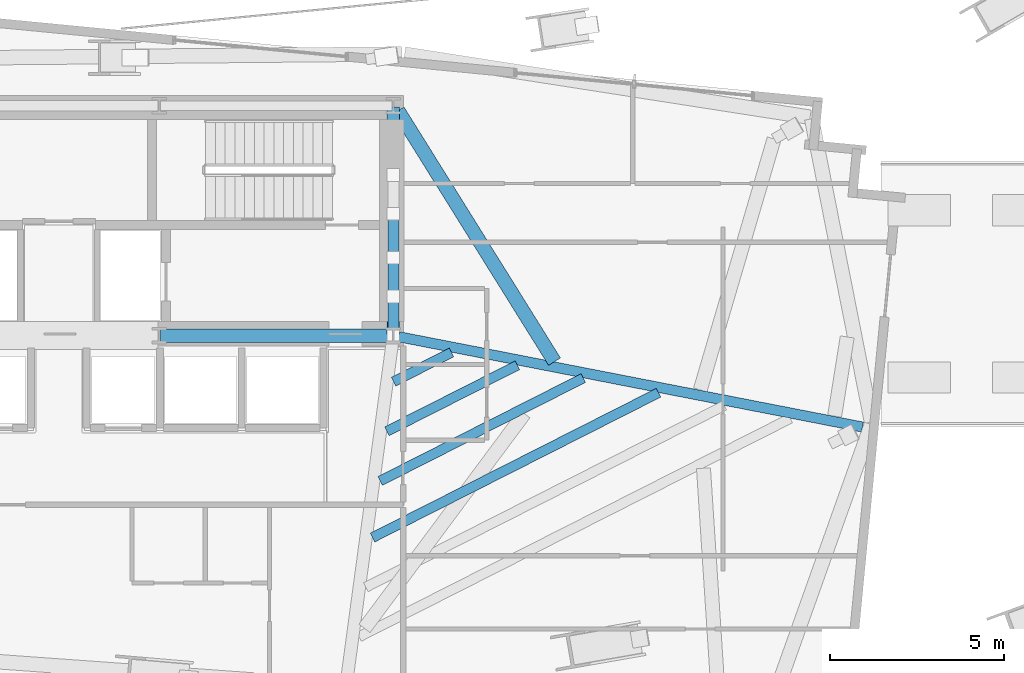
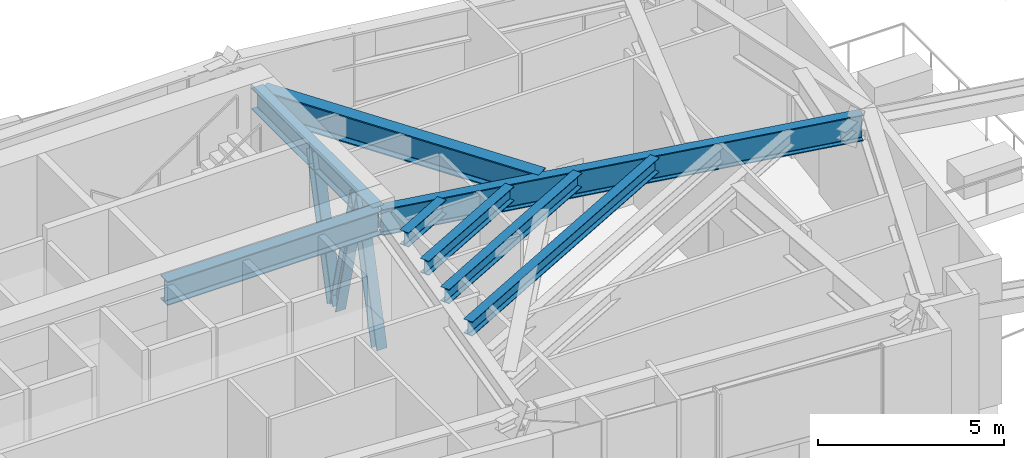
# One storey, part 11 of 23: 8 beams, 3 members.
"""IFC4 building model written with IfcOpenShell, lengths in metres."""

from ifc_helpers import new_model, si_unit, direction, frame, origin, origin_2d, place, context, subcontext, project, spatial, i_section, extrude, source, transform, mapped, material, material_profile, profile_set, type_object, type_shapes, element, save


model = new_model("IFC4")

# Units and contexts
model_context = context("Model", 3, precision=1e-05, world=origin(), true_north=direction((0.0, 1.0)))
body_context = subcontext(model_context, "Body", "Model", "MODEL_VIEW")
ifc_project = project(units=[si_unit("LENGTHUNIT", "METRE"), si_unit("AREAUNIT", "SQUARE_METRE"), si_unit("VOLUMEUNIT", "CUBIC_METRE"), si_unit("PLANEANGLEUNIT", "RADIAN"), si_unit("MASSUNIT", "GRAM", prefix="KILO")], contexts=[model_context])

# Site, building, storey
site_placement = place(None, origin())
site = spatial("IfcSite", under=ifc_project, at=site_placement, CompositionType="ELEMENT")
building_placement = place(site_placement, origin())
building = spatial("IfcBuilding", under=site, at=building_placement, Name="Astriad Promenade Condominiums", CompositionType="ELEMENT")
storey_placement = place(building_placement, frame((0.0, 0.0, 119.39990234375)))
storey = spatial("IfcBuildingStorey", under=building, at=storey_placement, Name="L34", CompositionType="ELEMENT", Elevation=119.39990234375)

# Beams
ifc_material = material(Name="Steel ASTM A992 Grade 50", Category="steel")
ifc_material_profile_1 = material_profile(ifc_material, i_section(OverallWidth=0.3837890625, OverallDepth=0.785888671875, WebThickness=0.019775390625, FlangeThickness=0.033447265625, FilletRadius=0.021484375, at=origin_2d()), Name="W30X211")
ifc_profile_set_1 = profile_set([ifc_material_profile_1], Name="Steel ASTM A992 Grade 50")
beam_type_1 = type_object("IfcBeamType", Name="STEEL FLOOR GIRDER W30X211", PredefinedType="BEAM", material=ifc_profile_set_1)
shared_shape_1 = source(origin(), body_context, "Body", "SweptSolid", [
    extrude(i_section(OverallWidth=0.3837890625, OverallDepth=0.785888671875, WebThickness=0.019775390625, FlangeThickness=0.033447265625, FilletRadius=0.021484375, at=origin_2d()), origin(), (0.0, 0.0, 1.0), 6.64013671875),
])
type_shapes(beam_type_1, [shared_shape_1])
beam_1_placement = place(storey_placement, frame((38.919921875, 17.39990234375, 4.38720703125), z_axis=(1.0, 0.0, 0.0), x_axis=(0.0, 1.0, 0.0)))
element("IfcBeam", 1, at=beam_1_placement, inside=storey, type_object=beam_type_1, Name="Core Ring Beam CG-S3-L34", PredefinedType="BEAM", context=body_context, shape_type="MappedRepresentation", body=[
    mapped(shared_shape_1, transform((0.0, 0.0, 0.0), scale=1.0)),
])
ifc_material_profile_2 = material_profile(ifc_material, i_section(OverallWidth=0.35791015625, OverallDepth=0.706298828125, WebThickness=0.018310546875, FlangeThickness=0.0302734375, FilletRadius=0.020263671875, at=origin_2d()), Name="W27X178")
ifc_profile_set_2 = profile_set([ifc_material_profile_2], Name="Steel ASTM A992 Grade 50")
beam_type_2 = type_object("IfcBeamType", Name="STEEL FLOOR GIRDER W27X178", PredefinedType="BEAM", material=ifc_profile_set_2)
shared_shape_2 = source(origin(), body_context, "Body", "SweptSolid", [
    extrude(i_section(OverallWidth=0.35791015625, OverallDepth=0.706298828125, WebThickness=0.018310546875, FlangeThickness=0.0302734375, FilletRadius=0.020263671875, at=origin_2d()), origin(), (0.0, 0.0, 1.0), 6.52001953125),
])
type_shapes(beam_type_2, [shared_shape_2])
beam_2_placement = place(storey_placement, frame((45.60009765625, 17.43994140625, 4.427001953125), z_axis=(0.0, 1.0, 0.0), x_axis=(-1.0, 0.0, 0.0)))
element("IfcBeam", 2, at=beam_2_placement, inside=storey, type_object=beam_type_2, Name="Core Ring Beam CG-E1-L34", PredefinedType="BEAM", context=body_context, shape_type="MappedRepresentation", body=[
    mapped(shared_shape_2, transform((0.0, 0.0, 0.0), scale=1.0)),
])
ifc_material_profile_3 = material_profile(ifc_material, i_section(OverallWidth=0.2919921875, OverallDepth=0.85888671875, WebThickness=0.01708984375, FlangeThickness=0.031005859375, FilletRadius=0.02294921875, at=origin_2d()), Name="W33X169")
ifc_profile_set_3 = profile_set([ifc_material_profile_3], Name="Steel ASTM A992 Grade 50")
beam_type_3 = type_object("IfcBeamType", Name="STEEL PRIMARY GIRDER W33X169", PredefinedType="BEAM", material=ifc_profile_set_3)
shared_shape_3 = source(origin(), body_context, "Body", "SweptSolid", [
    extrude(i_section(OverallWidth=0.2919921875, OverallDepth=0.85888671875, WebThickness=0.01708984375, FlangeThickness=0.031005859375, FilletRadius=0.02294921875, at=origin_2d()), origin(), (0.0, 0.0, 1.0), 13.67919921875),
])
type_shapes(beam_type_3, [shared_shape_3])
beam_3_placement = place(storey_placement, frame((59.06640625, 14.77734375, 4.3505859375), z_axis=(-0.98155803443, 0.191164392726, 0.0), x_axis=(-0.191164392726, -0.98155803443, 0.0)))
element("IfcBeam", 3, at=beam_3_placement, inside=storey, type_object=beam_type_3, Name="Primary Floor Girder PG-EM-L34", PredefinedType="BEAM", context=body_context, shape_type="MappedRepresentation", body=[
    mapped(shared_shape_3, transform((0.0, 0.0, 0.0), scale=1.0)),
])
ifc_material_profile_4 = material_profile(ifc_material, i_section(OverallWidth=0.283203125, OverallDepth=0.47216796875, WebThickness=0.013671875, FlangeThickness=0.022216796875, FilletRadius=0.01513671875, at=origin_2d()), Name="W18X97")
ifc_profile_set_4 = profile_set([ifc_material_profile_4], Name="Steel ASTM A992 Grade 50")
beam_type_4 = type_object("IfcBeamType", Name="STEEL FLOOR JOIST W18X97", PredefinedType="JOIST", material=ifc_profile_set_4)
shared_shape_4 = source(origin(), body_context, "Body", "SweptSolid", [
    extrude(i_section(OverallWidth=0.283203125, OverallDepth=0.47216796875, WebThickness=0.013671875, FlangeThickness=0.022216796875, FilletRadius=0.01513671875, at=origin_2d()), origin(), (0.0, 0.0, 1.0), 9.198974609375),
])
beam_4_placement = place(storey_placement, frame((45.00634765625, 11.604736328125, 4.5439453125), z_axis=(0.892031210633, 0.451973803728, 0.0), x_axis=(-0.451973803728, 0.892031210633, 0.0)))
element("IfcBeam", 4, at=beam_4_placement, inside=storey, type_object=beam_type_4, Name="Secondary Composite Floor Joist JE1-3-L34", PredefinedType="JOIST", context=body_context, shape_type="MappedRepresentation", body=[
    mapped(shared_shape_4, transform((0.0, 0.0, 0.0), scale=1.0)),
])
shared_shape_5 = source(origin(), body_context, "Body", "SweptSolid", [
    extrude(i_section(OverallWidth=0.283203125, OverallDepth=0.47216796875, WebThickness=0.013671875, FlangeThickness=0.022216796875, FilletRadius=0.01513671875, at=origin_2d()), origin(), (0.0, 0.0, 1.0), 6.5302734375),
])
beam_5_placement = place(storey_placement, frame((45.22607421875, 13.231689453125, 4.5439453125), z_axis=(0.892021707719, 0.451992558521, 0.0), x_axis=(-0.451992558521, 0.892021707719, 0.0)))
element("IfcBeam", 5, at=beam_5_placement, inside=storey, type_object=beam_type_4, Name="Secondary Composite Floor Joist JE1-4-L34", PredefinedType="JOIST", context=body_context, shape_type="MappedRepresentation", body=[
    mapped(shared_shape_5, transform((0.0, 0.0, 0.0), scale=1.0)),
])
shared_shape_6 = source(origin(), body_context, "Body", "SweptSolid", [
    extrude(i_section(OverallWidth=0.283203125, OverallDepth=0.47216796875, WebThickness=0.013671875, FlangeThickness=0.022216796875, FilletRadius=0.01513671875, at=origin_2d()), origin(), (0.0, 0.0, 1.0), 4.195068359375),
])
beam_6_placement = place(storey_placement, frame((45.418212890625, 14.655517578125, 4.5439453125), z_axis=(0.892040155771, 0.451956148859, 0.0), x_axis=(-0.451956148859, 0.892040155771, 0.0)))
element("IfcBeam", 6, at=beam_6_placement, inside=storey, type_object=beam_type_4, Name="Secondary Composite Floor Joist JE1-5-L34", PredefinedType="JOIST", context=body_context, shape_type="MappedRepresentation", body=[
    mapped(shared_shape_6, transform((0.0, 0.0, 0.0), scale=1.0)),
])
shared_shape_7 = source(origin(), body_context, "Body", "SweptSolid", [
    extrude(i_section(OverallWidth=0.283203125, OverallDepth=0.47216796875, WebThickness=0.013671875, FlangeThickness=0.022216796875, FilletRadius=0.01513671875, at=origin_2d()), origin(), (0.0, 0.0, 1.0), 1.860107421875),
])
type_shapes(beam_type_4, [shared_shape_4, shared_shape_5, shared_shape_6, shared_shape_7])
beam_7_placement = place(storey_placement, frame((45.610595703125, 16.0791015625, 4.5439453125), z_axis=(0.891999083743, 0.452037204887, 0.0), x_axis=(-0.452037204887, 0.891999083743, 0.0)))
element("IfcBeam", 7, at=beam_7_placement, inside=storey, type_object=beam_type_4, Name="Secondary Composite Floor Joist JE1-6-L34", PredefinedType="JOIST", context=body_context, shape_type="MappedRepresentation", body=[
    mapped(shared_shape_7, transform((0.0, 0.0, 0.0), scale=1.0)),
])
ifc_material_profile_5 = material_profile(ifc_material, i_section(OverallWidth=0.4013671875, OverallDepth=0.877197265625, WebThickness=0.022216796875, FlangeThickness=0.039794921875, FilletRadius=0.02294921875, at=origin_2d()), Name="W33X263")
ifc_profile_set_5 = profile_set([ifc_material_profile_5], Name="Steel ASTM A992 Grade 50")
beam_type_5 = type_object("IfcBeamType", Name="STEEL TRANSFER CARRIER GIRDER W33X263", PredefinedType="BEAM", material=ifc_profile_set_5)
shared_shape_8 = source(origin(), body_context, "Body", "SweptSolid", [
    extrude(i_section(OverallWidth=0.4013671875, OverallDepth=0.877197265625, WebThickness=0.022216796875, FlangeThickness=0.039794921875, FilletRadius=0.02294921875, at=origin_2d()), origin(), (0.0, 0.0, 1.0), 8.488525390625),
])
type_shapes(beam_type_5, [shared_shape_8])
beam_8_placement = place(storey_placement, frame((50.227783203125, 16.655029296875, 4.341552734375), z_axis=(-0.529155866486, 0.84852464252, 0.0), x_axis=(-0.84852464252, -0.529155866486, 0.0)))
element("IfcBeam", 8, at=beam_8_placement, inside=storey, type_object=beam_type_5, Name="Transfer Splice Carrier TRM-SP-PC09-L34", PredefinedType="BEAM", context=body_context, shape_type="MappedRepresentation", body=[
    mapped(shared_shape_8, transform((0.0, 0.0, 0.0), scale=1.0)),
])

# Members
ifc_material_profile_6 = material_profile(ifc_material, i_section(OverallWidth=0.31494140625, OverallDepth=0.340576171875, WebThickness=0.02001953125, FlangeThickness=0.03173828125, FilletRadius=0.01513671875, at=origin_2d()), Name="W12X136")
ifc_profile_set_6 = profile_set([ifc_material_profile_6], Name="Steel ASTM A992 Grade 50")
member_type = type_object("IfcMemberType", Name="STEEL TRANSFER WEB BRACE W12X136", PredefinedType="BRACE", material=ifc_profile_set_6)
shared_shape_9 = source(origin(), body_context, "Body", "SweptSolid", [
    extrude(i_section(OverallWidth=0.31494140625, OverallDepth=0.340576171875, WebThickness=0.02001953125, FlangeThickness=0.03173828125, FilletRadius=0.01513671875, at=origin_2d()), origin(), (0.0, 0.0, 1.0), 4.549072265625),
])
type_shapes(member_type, [shared_shape_9])
for number, where, z_axis, x_axis, name in (
    (9, (45.60009765625, 17.406005859375, 0.164306640625), (0.0, 0.243974924355, 0.969781540496), (-1.0, 0.0, 0.0), "Core Coupling Warren Brace L34-03A"),
    (10, (45.60009765625, 19.637939453125, 0.164306640625), (0.0, -0.243974924355, 0.969781540496), (1.0, 0.0, 0.0), "Core Coupling Warren Brace L34-03B"),
    (11, (45.60009765625, 19.781982421875, 0.164306640625), (0.0, 0.243974924355, 0.969781540496), (-1.0, 0.0, 0.0), "Core Coupling Warren Brace L34-04A"),
):
    element("IfcMember", number, at=place(storey_placement, frame(where, z_axis=z_axis, x_axis=x_axis)), inside=storey, type_object=member_type, Name=name, PredefinedType="BRACE", context=body_context, shape_type="MappedRepresentation", body=[
        mapped(shared_shape_9, transform((0.0, 0.0, 0.0), scale=1.0)),
    ])

save(model, "model.ifc")
